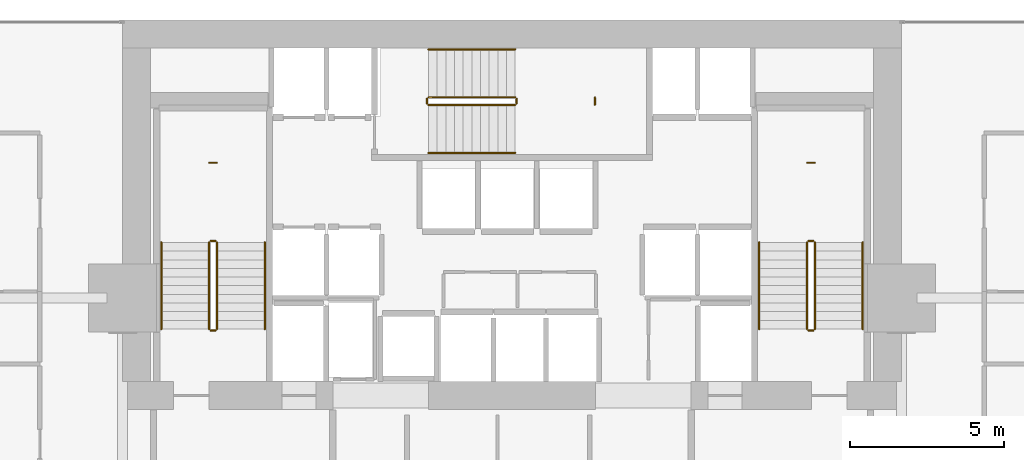
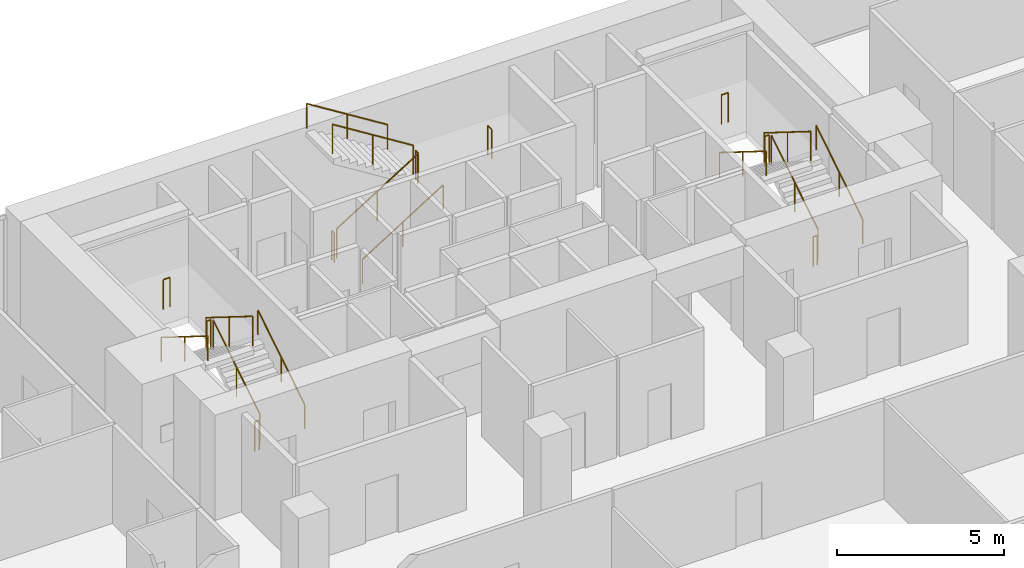
# One storey, part 40 of 40: 21 railings.
"""IFC4 building model written with IfcOpenShell, lengths in metres."""

from ifc_helpers import new_model, si_unit, direction, frame, origin, origin_2d, place, context, subcontext, project, spatial, circle, extrude, material, type_object, element, save


model = new_model("IFC4")

# Units and contexts
model_context = context("Model", 3, precision=1e-05, world=origin(), true_north=direction((0.0, 1.0)))
body_context = subcontext(model_context, "Body", "Model", "MODEL_VIEW")
ifc_project = project(units=[si_unit("LENGTHUNIT", "METRE"), si_unit("AREAUNIT", "SQUARE_METRE"), si_unit("VOLUMEUNIT", "CUBIC_METRE"), si_unit("PLANEANGLEUNIT", "RADIAN"), si_unit("MASSUNIT", "GRAM", prefix="KILO")], contexts=[model_context])

# Site, building, storey
site_placement = place(None, origin())
site = spatial("IfcSite", under=ifc_project, at=site_placement, CompositionType="ELEMENT")
building_placement = place(site_placement, origin())
building = spatial("IfcBuilding", under=site, at=building_placement, Name="Maruvema Waterfront Hotel and Observation Tower", CompositionType="ELEMENT")
storey_placement = place(building_placement, frame((0.0, 0.0, 107.800048828125)))
storey = spatial("IfcBuildingStorey", under=building, at=storey_placement, Name="L26", CompositionType="ELEMENT", Elevation=107.800048828125)

# Railings
ifc_material_1 = material(Name="Brushed stainless steel Grade 316", Category="steel")
railing_type_1 = type_object("IfcRailingType", Name="Ramp Continuous Wall Handrail 920 mm", PredefinedType="HANDRAIL", material=ifc_material_1)
railing_1_placement = place(storey_placement, frame((29.800048828125, 44.0, 0.175048828125)))
element("IfcRailing", 1, at=railing_1_placement, inside=storey, type_object=railing_type_1, Name="L26 ST-01 stair handrail 1", PredefinedType="HANDRAIL", context=body_context, shape_type="SweptSolid", body=[
    extrude(circle(Radius=0.02392578125, at=origin_2d()), frame((0.0, 0.0, 0.89599609375), z_axis=(0.0, 0.848002457836, 0.529992293815), x_axis=(-1.0, 0.0, 0.0)), (0.0, 0.0, 1.0), 3.302001953125),
    extrude(circle(Radius=0.02099609375, at=origin_2d()), origin(), (0.0, 0.0, 1.0), 0.871826171875),
    extrude(circle(Radius=0.02099609375, at=origin_2d()), frame((0.0, 1.39990234375, 0.875)), (0.0, 0.0, 1.0), 0.871826171875),
    extrude(circle(Radius=0.02099609375, at=origin_2d()), frame((0.0, 2.800048828125, 1.75)), (0.0, 0.0, 1.0), 0.871826171875),
])
railing_2_placement = place(storey_placement, frame((26.449951171875, 46.800048828125, 2.099853515625)))
element("IfcRailing", 2, at=railing_2_placement, inside=storey, type_object=railing_type_1, Name="L26 ST-01 stair handrail 2", PredefinedType="HANDRAIL", context=body_context, shape_type="SweptSolid", body=[
    extrude(circle(Radius=0.02392578125, at=origin_2d()), frame((0.0, 0.0, 0.89599609375), z_axis=(0.0, -0.848002457836, 0.529992293815), x_axis=(1.0, 0.0, 0.0)), (0.0, 0.0, 1.0), 3.302001953125),
    extrude(circle(Radius=0.02099609375, at=origin_2d()), origin(), (0.0, 0.0, 1.0), 0.871826171875),
    extrude(circle(Radius=0.02099609375, at=origin_2d()), frame((0.0, -1.39990234375, 0.875)), (0.0, 0.0, 1.0), 0.871826171875),
    extrude(circle(Radius=0.02099609375, at=origin_2d()), frame((0.0, -2.800048828125, 1.75)), (0.0, 0.0, 1.0), 0.871826171875),
])
railing_3_placement = place(storey_placement, frame((35.10009765625, 49.699951171875, 0.175048828125)))
element("IfcRailing", 3, at=railing_3_placement, inside=storey, type_object=railing_type_1, Name="L26 ST-02 stair handrail 1", PredefinedType="HANDRAIL", context=body_context, shape_type="SweptSolid", body=[
    extrude(circle(Radius=0.02392578125, at=origin_2d()), frame((0.0, 0.0, 0.89599609375), z_axis=(0.847981687118, 0.0, 0.530025526095), x_axis=(0.0, 1.0, 0.0)), (0.0, 0.0, 1.0), 3.3017578125),
    extrude(circle(Radius=0.02099609375, at=origin_2d()), origin(), (0.0, 0.0, 1.0), 0.871826171875),
    extrude(circle(Radius=0.02099609375, at=origin_2d()), frame((1.39990234375, 0.0, 0.875)), (0.0, 0.0, 1.0), 0.871826171875),
    extrude(circle(Radius=0.02099609375, at=origin_2d()), frame((2.7998046875, 0.0, 1.75)), (0.0, 0.0, 1.0), 0.871826171875),
])
railing_4_placement = place(storey_placement, frame((37.89990234375, 53.050048828125, 2.099853515625)))
element("IfcRailing", 4, at=railing_4_placement, inside=storey, type_object=railing_type_1, Name="L26 ST-02 stair handrail 2", PredefinedType="HANDRAIL", context=body_context, shape_type="SweptSolid", body=[
    extrude(circle(Radius=0.02392578125, at=origin_2d()), frame((0.0, 0.0, 0.89599609375), z_axis=(-0.847981687118, 0.0, 0.530025526095), x_axis=(0.0, -1.0, 0.0)), (0.0, 0.0, 1.0), 3.3017578125),
    extrude(circle(Radius=0.02099609375, at=origin_2d()), origin(), (0.0, 0.0, 1.0), 0.871826171875),
    extrude(circle(Radius=0.02099609375, at=origin_2d()), frame((-1.39990234375, 0.0, 0.875)), (0.0, 0.0, 1.0), 0.871826171875),
    extrude(circle(Radius=0.02099609375, at=origin_2d()), frame((-2.7998046875, 0.0, 1.75)), (0.0, 0.0, 1.0), 0.871826171875),
])
railing_5_placement = place(storey_placement, frame((49.14990234375, 44.0, 0.175048828125)))
element("IfcRailing", 5, at=railing_5_placement, inside=storey, type_object=railing_type_1, Name="L26 ST-03 stair handrail 1", PredefinedType="HANDRAIL", context=body_context, shape_type="SweptSolid", body=[
    extrude(circle(Radius=0.02392578125, at=origin_2d()), frame((0.0, 0.0, 0.89599609375), z_axis=(0.0, 0.848002457836, 0.529992293815), x_axis=(-1.0, 0.0, 0.0)), (0.0, 0.0, 1.0), 3.302001953125),
    extrude(circle(Radius=0.02099609375, at=origin_2d()), origin(), (0.0, 0.0, 1.0), 0.871826171875),
    extrude(circle(Radius=0.02099609375, at=origin_2d()), frame((0.0, 1.39990234375, 0.875)), (0.0, 0.0, 1.0), 0.871826171875),
    extrude(circle(Radius=0.02099609375, at=origin_2d()), frame((0.0, 2.800048828125, 1.75)), (0.0, 0.0, 1.0), 0.871826171875),
])
railing_6_placement = place(storey_placement, frame((45.800048828125, 46.800048828125, 2.099853515625)))
element("IfcRailing", 6, at=railing_6_placement, inside=storey, type_object=railing_type_1, Name="L26 ST-03 stair handrail 2", PredefinedType="HANDRAIL", context=body_context, shape_type="SweptSolid", body=[
    extrude(circle(Radius=0.02392578125, at=origin_2d()), frame((0.0, 0.0, 0.89599609375), z_axis=(0.0, -0.848002457836, 0.529992293815), x_axis=(1.0, 0.0, 0.0)), (0.0, 0.0, 1.0), 3.302001953125),
    extrude(circle(Radius=0.02099609375, at=origin_2d()), origin(), (0.0, 0.0, 1.0), 0.871826171875),
    extrude(circle(Radius=0.02099609375, at=origin_2d()), frame((0.0, -1.39990234375, 0.875)), (0.0, 0.0, 1.0), 0.871826171875),
    extrude(circle(Radius=0.02099609375, at=origin_2d()), frame((0.0, -2.800048828125, 1.75)), (0.0, 0.0, 1.0), 0.871826171875),
])
ifc_material_2 = material(Name="Brushed stainless steel Grade 316", Category="steel")
railing_type_2 = type_object("IfcRailingType", Name="Ramp and Terrace Guard Balustrade 1100 mm", PredefinedType="BALUSTRADE", material=ifc_material_2)
railing_7_placement = place(storey_placement, frame((28.25, 44.0, 0.175048828125)))
element("IfcRailing", 7, at=railing_7_placement, inside=storey, type_object=railing_type_2, Name="L26 ST-01 stair guard 1", PredefinedType="BALUSTRADE", context=body_context, shape_type="SweptSolid", body=[
    extrude(circle(Radius=0.02392578125, at=origin_2d()), frame((0.0, 0.0, 1.076171875), z_axis=(0.0, 0.848002457836, 0.529992293815), x_axis=(-1.0, 0.0, 0.0)), (0.0, 0.0, 1.0), 3.302001953125),
    extrude(circle(Radius=0.02099609375, at=origin_2d()), origin(), (0.0, 0.0, 1.0), 1.052001953125),
    extrude(circle(Radius=0.02099609375, at=origin_2d()), frame((0.0, 1.39990234375, 0.875)), (0.0, 0.0, 1.0), 1.052001953125),
    extrude(circle(Radius=0.02099609375, at=origin_2d()), frame((0.0, 2.800048828125, 1.75)), (0.0, 0.0, 1.0), 1.052001953125),
])
railing_8_placement = place(storey_placement, frame((28.199951171875, 46.85009765625, 1.925048828125)))
element("IfcRailing", 8, at=railing_8_placement, inside=storey, type_object=railing_type_2, Name="L26 ST-01 stair guard 2", PredefinedType="BALUSTRADE", context=body_context, shape_type="SweptSolid", body=[
    extrude(circle(Radius=0.02392578125, at=origin_2d()), frame((0.0, 0.0, 1.076171875), z_axis=(-1.0, 0.0, 0.0), x_axis=(0.0, -1.0, 0.0)), (0.0, 0.0, 1.0), 0.14990234375),
    extrude(circle(Radius=0.02099609375, at=origin_2d()), origin(), (0.0, 0.0, 1.0), 1.052001953125),
    extrude(circle(Radius=0.02099609375, at=origin_2d()), frame((-0.14990234375, 0.0, 0.0)), (0.0, 0.0, 1.0), 1.052001953125),
])
railing_9_placement = place(storey_placement, frame((28.0, 46.800048828125, 2.099853515625)))
element("IfcRailing", 9, at=railing_9_placement, inside=storey, type_object=railing_type_2, Name="L26 ST-01 stair guard 3", PredefinedType="BALUSTRADE", context=body_context, shape_type="SweptSolid", body=[
    extrude(circle(Radius=0.02392578125, at=origin_2d()), frame((0.0, 0.0, 1.076171875), z_axis=(0.0, -0.848002457836, 0.529992293815), x_axis=(1.0, 0.0, 0.0)), (0.0, 0.0, 1.0), 3.302001953125),
    extrude(circle(Radius=0.02099609375, at=origin_2d()), origin(), (0.0, 0.0, 1.0), 1.052001953125),
    extrude(circle(Radius=0.02099609375, at=origin_2d()), frame((0.0, -1.39990234375, 0.875)), (0.0, 0.0, 1.0), 1.052001953125),
    extrude(circle(Radius=0.02099609375, at=origin_2d()), frame((0.0, -2.800048828125, 1.75)), (0.0, 0.0, 1.0), 1.052001953125),
])
railing_10_placement = place(storey_placement, frame((28.199951171875, 43.949951171875, 0.0)))
element("IfcRailing", 10, at=railing_10_placement, inside=storey, type_object=railing_type_2, Name="L26 ST-01 stair guard 4", PredefinedType="BALUSTRADE", context=body_context, shape_type="SweptSolid", body=[
    extrude(circle(Radius=0.02392578125, at=origin_2d()), frame((0.0, 0.0, 1.076171875), z_axis=(-1.0, 0.0, 0.0), x_axis=(0.0, -1.0, 0.0)), (0.0, 0.0, 1.0), 0.14990234375),
    extrude(circle(Radius=0.02099609375, at=origin_2d()), origin(), (0.0, 0.0, 1.0), 1.052001953125),
    extrude(circle(Radius=0.02099609375, at=origin_2d()), frame((-0.14990234375, 0.0, 0.0)), (0.0, 0.0, 1.0), 1.052001953125),
])
railing_11_placement = place(storey_placement, frame((28.239990234375, 49.3798828125, 1.925048828125)))
element("IfcRailing", 11, at=railing_11_placement, inside=storey, type_object=railing_type_2, Name="L26 ST-01 Half-Landing Slot Guard", PredefinedType="BALUSTRADE", context=body_context, shape_type="SweptSolid", body=[
    extrude(circle(Radius=0.02392578125, at=origin_2d()), frame((0.0, 0.0, 1.076171875), z_axis=(-1.0, 0.0, 0.0), x_axis=(0.0, -1.0, 0.0)), (0.0, 0.0, 1.0), 0.22998046875),
    extrude(circle(Radius=0.02099609375, at=origin_2d()), origin(), (0.0, 0.0, 1.0), 1.052001953125),
    extrude(circle(Radius=0.02099609375, at=origin_2d()), frame((-0.22998046875, 0.0, 0.0)), (0.0, 0.0, 1.0), 1.052001953125),
])
railing_12_placement = place(storey_placement, frame((35.10009765625, 51.25, 0.175048828125)))
element("IfcRailing", 12, at=railing_12_placement, inside=storey, type_object=railing_type_2, Name="L26 ST-02 stair guard 1", PredefinedType="BALUSTRADE", context=body_context, shape_type="SweptSolid", body=[
    extrude(circle(Radius=0.02392578125, at=origin_2d()), frame((0.0, 0.0, 1.076171875), z_axis=(0.847981687118, 0.0, 0.530025526095), x_axis=(0.0, 1.0, 0.0)), (0.0, 0.0, 1.0), 3.3017578125),
    extrude(circle(Radius=0.02099609375, at=origin_2d()), origin(), (0.0, 0.0, 1.0), 1.052001953125),
    extrude(circle(Radius=0.02099609375, at=origin_2d()), frame((1.39990234375, 0.0, 0.875)), (0.0, 0.0, 1.0), 1.052001953125),
    extrude(circle(Radius=0.02099609375, at=origin_2d()), frame((2.7998046875, 0.0, 1.75)), (0.0, 0.0, 1.0), 1.052001953125),
])
railing_13_placement = place(storey_placement, frame((37.949951171875, 51.300048828125, 1.925048828125)))
element("IfcRailing", 13, at=railing_13_placement, inside=storey, type_object=railing_type_2, Name="L26 ST-02 stair guard 2", PredefinedType="BALUSTRADE", context=body_context, shape_type="SweptSolid", body=[
    extrude(circle(Radius=0.02392578125, at=origin_2d()), frame((0.0, 0.0, 1.076171875), z_axis=(0.0, 1.0, 0.0), x_axis=(-1.0, 0.0, 0.0)), (0.0, 0.0, 1.0), 0.14990234375),
    extrude(circle(Radius=0.02099609375, at=origin_2d()), origin(), (0.0, 0.0, 1.0), 1.052001953125),
    extrude(circle(Radius=0.02099609375, at=origin_2d()), frame((0.0, 0.14990234375, 0.0)), (0.0, 0.0, 1.0), 1.052001953125),
])
railing_14_placement = place(storey_placement, frame((37.89990234375, 51.5, 2.099853515625)))
element("IfcRailing", 14, at=railing_14_placement, inside=storey, type_object=railing_type_2, Name="L26 ST-02 stair guard 3", PredefinedType="BALUSTRADE", context=body_context, shape_type="SweptSolid", body=[
    extrude(circle(Radius=0.02392578125, at=origin_2d()), frame((0.0, 0.0, 1.076171875), z_axis=(-0.847981687118, 0.0, 0.530025526095), x_axis=(0.0, -1.0, 0.0)), (0.0, 0.0, 1.0), 3.3017578125),
    extrude(circle(Radius=0.02099609375, at=origin_2d()), origin(), (0.0, 0.0, 1.0), 1.052001953125),
    extrude(circle(Radius=0.02099609375, at=origin_2d()), frame((-1.39990234375, 0.0, 0.875)), (0.0, 0.0, 1.0), 1.052001953125),
    extrude(circle(Radius=0.02099609375, at=origin_2d()), frame((-2.7998046875, 0.0, 1.75)), (0.0, 0.0, 1.0), 1.052001953125),
])
railing_15_placement = place(storey_placement, frame((35.050048828125, 51.300048828125, 0.0)))
element("IfcRailing", 15, at=railing_15_placement, inside=storey, type_object=railing_type_2, Name="L26 ST-02 stair guard 4", PredefinedType="BALUSTRADE", context=body_context, shape_type="SweptSolid", body=[
    extrude(circle(Radius=0.02392578125, at=origin_2d()), frame((0.0, 0.0, 1.076171875), z_axis=(0.0, 1.0, 0.0), x_axis=(-1.0, 0.0, 0.0)), (0.0, 0.0, 1.0), 0.14990234375),
    extrude(circle(Radius=0.02099609375, at=origin_2d()), origin(), (0.0, 0.0, 1.0), 1.052001953125),
    extrude(circle(Radius=0.02099609375, at=origin_2d()), frame((0.0, 0.14990234375, 0.0)), (0.0, 0.0, 1.0), 1.052001953125),
])
railing_16_placement = place(storey_placement, frame((40.47998046875, 51.260009765625, 1.925048828125)))
element("IfcRailing", 16, at=railing_16_placement, inside=storey, type_object=railing_type_2, Name="L26 ST-02 Half-Landing Slot Guard", PredefinedType="BALUSTRADE", context=body_context, shape_type="SweptSolid", body=[
    extrude(circle(Radius=0.02392578125, at=origin_2d()), frame((0.0, 0.0, 1.076171875), z_axis=(0.0, 1.0, 0.0), x_axis=(-1.0, 0.0, 0.0)), (0.0, 0.0, 1.0), 0.22998046875),
    extrude(circle(Radius=0.02099609375, at=origin_2d()), origin(), (0.0, 0.0, 1.0), 1.052001953125),
    extrude(circle(Radius=0.02099609375, at=origin_2d()), frame((0.0, 0.22998046875, 0.0)), (0.0, 0.0, 1.0), 1.052001953125),
])
railing_17_placement = place(storey_placement, frame((47.60009765625, 44.0, 0.175048828125)))
element("IfcRailing", 17, at=railing_17_placement, inside=storey, type_object=railing_type_2, Name="L26 ST-03 stair guard 1", PredefinedType="BALUSTRADE", context=body_context, shape_type="SweptSolid", body=[
    extrude(circle(Radius=0.02392578125, at=origin_2d()), frame((0.0, 0.0, 1.076171875), z_axis=(0.0, 0.848002457836, 0.529992293815), x_axis=(-1.0, 0.0, 0.0)), (0.0, 0.0, 1.0), 3.302001953125),
    extrude(circle(Radius=0.02099609375, at=origin_2d()), origin(), (0.0, 0.0, 1.0), 1.052001953125),
    extrude(circle(Radius=0.02099609375, at=origin_2d()), frame((0.0, 1.39990234375, 0.875)), (0.0, 0.0, 1.0), 1.052001953125),
    extrude(circle(Radius=0.02099609375, at=origin_2d()), frame((0.0, 2.800048828125, 1.75)), (0.0, 0.0, 1.0), 1.052001953125),
])
railing_18_placement = place(storey_placement, frame((47.550048828125, 46.85009765625, 1.925048828125)))
element("IfcRailing", 18, at=railing_18_placement, inside=storey, type_object=railing_type_2, Name="L26 ST-03 stair guard 2", PredefinedType="BALUSTRADE", context=body_context, shape_type="SweptSolid", body=[
    extrude(circle(Radius=0.02392578125, at=origin_2d()), frame((0.0, 0.0, 1.076171875), z_axis=(-1.0, 0.0, 0.0), x_axis=(0.0, -1.0, 0.0)), (0.0, 0.0, 1.0), 0.150146484375),
    extrude(circle(Radius=0.02099609375, at=origin_2d()), origin(), (0.0, 0.0, 1.0), 1.052001953125),
    extrude(circle(Radius=0.02099609375, at=origin_2d()), frame((-0.150146484375, 0.0, 0.0)), (0.0, 0.0, 1.0), 1.052001953125),
])
railing_19_placement = place(storey_placement, frame((47.35009765625, 46.800048828125, 2.099853515625)))
element("IfcRailing", 19, at=railing_19_placement, inside=storey, type_object=railing_type_2, Name="L26 ST-03 stair guard 3", PredefinedType="BALUSTRADE", context=body_context, shape_type="SweptSolid", body=[
    extrude(circle(Radius=0.02392578125, at=origin_2d()), frame((0.0, 0.0, 1.076171875), z_axis=(0.0, -0.848002457836, 0.529992293815), x_axis=(1.0, 0.0, 0.0)), (0.0, 0.0, 1.0), 3.302001953125),
    extrude(circle(Radius=0.02099609375, at=origin_2d()), origin(), (0.0, 0.0, 1.0), 1.052001953125),
    extrude(circle(Radius=0.02099609375, at=origin_2d()), frame((0.0, -1.39990234375, 0.875)), (0.0, 0.0, 1.0), 1.052001953125),
    extrude(circle(Radius=0.02099609375, at=origin_2d()), frame((0.0, -2.800048828125, 1.75)), (0.0, 0.0, 1.0), 1.052001953125),
])
railing_20_placement = place(storey_placement, frame((47.550048828125, 43.949951171875, 0.0)))
element("IfcRailing", 20, at=railing_20_placement, inside=storey, type_object=railing_type_2, Name="L26 ST-03 stair guard 4", PredefinedType="BALUSTRADE", context=body_context, shape_type="SweptSolid", body=[
    extrude(circle(Radius=0.02392578125, at=origin_2d()), frame((0.0, 0.0, 1.076171875), z_axis=(-1.0, 0.0, 0.0), x_axis=(0.0, -1.0, 0.0)), (0.0, 0.0, 1.0), 0.150146484375),
    extrude(circle(Radius=0.02099609375, at=origin_2d()), origin(), (0.0, 0.0, 1.0), 1.052001953125),
    extrude(circle(Radius=0.02099609375, at=origin_2d()), frame((-0.150146484375, 0.0, 0.0)), (0.0, 0.0, 1.0), 1.052001953125),
])
railing_21_placement = place(storey_placement, frame((47.590087890625, 49.3798828125, 1.925048828125)))
element("IfcRailing", 21, at=railing_21_placement, inside=storey, type_object=railing_type_2, Name="L26 ST-03 Half-Landing Slot Guard", PredefinedType="BALUSTRADE", context=body_context, shape_type="SweptSolid", body=[
    extrude(circle(Radius=0.02392578125, at=origin_2d()), frame((0.0, 0.0, 1.076171875), z_axis=(-1.0, 0.0, 0.0), x_axis=(0.0, -1.0, 0.0)), (0.0, 0.0, 1.0), 0.22998046875),
    extrude(circle(Radius=0.02099609375, at=origin_2d()), origin(), (0.0, 0.0, 1.0), 1.052001953125),
    extrude(circle(Radius=0.02099609375, at=origin_2d()), frame((-0.22998046875, 0.0, 0.0)), (0.0, 0.0, 1.0), 1.052001953125),
])

save(model, "model.ifc")
